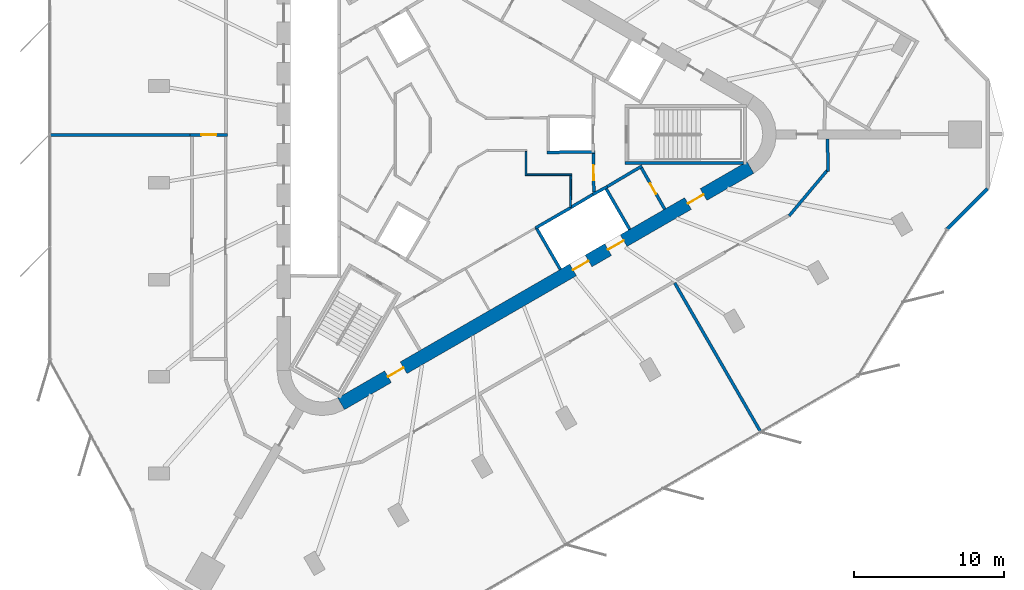
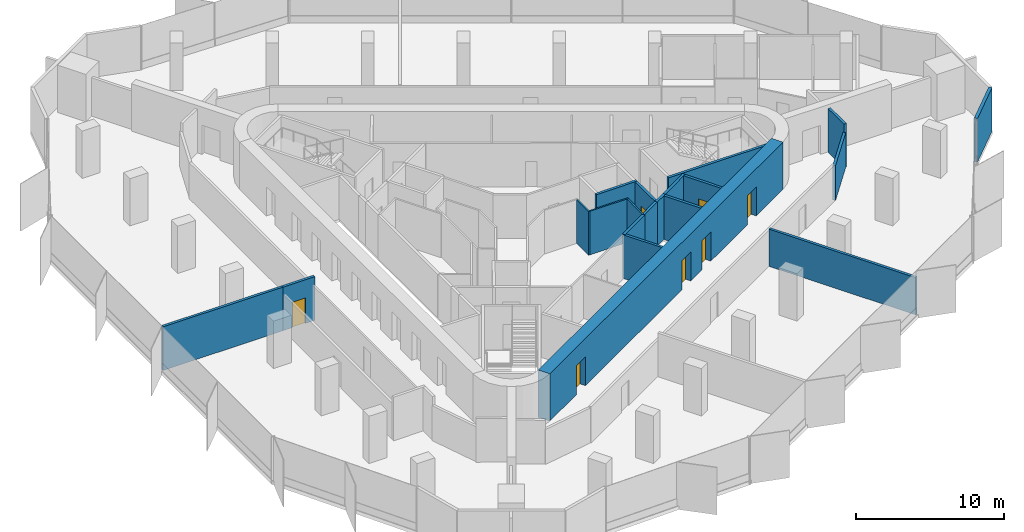
# One storey, part 8 of 12: 20 walls, 7 doors, 7 openings.
"""IFC4 building model written with IfcOpenShell, lengths in metres."""

from ifc_helpers import new_model, si_unit, direction, frame, frame_2d, origin, place, context, subcontext, project, spatial, rectangle, extrude, material, layer, layer_set, type_object, element, fill, save


model = new_model("IFC4")

# Units and contexts
model_context = context("Model", 3, precision=1e-05, world=origin(), true_north=direction((0.0, 1.0)))
body_context = subcontext(model_context, "Body", "Model", "MODEL_VIEW")
ifc_project = project(units=[si_unit("LENGTHUNIT", "METRE"), si_unit("AREAUNIT", "SQUARE_METRE"), si_unit("VOLUMEUNIT", "CUBIC_METRE"), si_unit("PLANEANGLEUNIT", "RADIAN"), si_unit("MASSUNIT", "GRAM", prefix="KILO")], contexts=[model_context])

# Site, building, storey
site_placement = place(None, origin())
site = spatial("IfcSite", under=ifc_project, at=site_placement, CompositionType="ELEMENT")
building_placement = place(site_placement, origin())
building = spatial("IfcBuilding", under=site, at=building_placement, Name="Tanit Gate Tower", CompositionType="ELEMENT")
storey_placement = place(building_placement, frame((0.0, 0.0, 337.699951171875)))
storey = spatial("IfcBuildingStorey", under=building, at=storey_placement, Name="L76", CompositionType="ELEMENT", Elevation=337.699951171875)

# Wall, openings, doors
ifc_material_1 = material(Name="Concrete C40/50", Category="concrete")
ifc_layer_1 = layer(ifc_material_1, 0.89990234375)
ifc_layer_set_1 = layer_set([ifc_layer_1], Name="CORE WALL 900 C40/50")
wall_type_1 = type_object("IfcWallType", Name="CORE WALL 900 C40/50", PredefinedType="SHEAR", material=ifc_layer_set_1)
wall_1_placement = place(storey_placement, frame((-7.824951171875, -17.969970703125, 0.0), z_axis=(0.0, 0.0, 1.0), x_axis=(0.866028369851, 0.499994862586, 0.0)))
wall_1 = element("IfcWall", 1, at=wall_1_placement, inside=storey, type_object=wall_type_1, Name="CORE WALL", PredefinedType="SHEAR", context=body_context, shape_type="SweptSolid", body=[
    extrude(rectangle(XDim=31.523193359375, YDim=0.89990234375, at=frame_2d((15.76171875, 0.0))), origin(), (0.0, 0.0, 1.0), 3.900146484375),
])
opening_1_placement = place(wall_1_placement, frame((17.861572265625, 0.0, 0.0)))
opening_1 = element("IfcOpeningElement", 2, at=opening_1_placement, cuts=wall_1, Name="Opening LDSV1-S21", PredefinedType="OPENING", context=body_context, shape_type="SweptSolid", body=[
    extrude(rectangle(XDim=1.199951171875, YDim=2.39990234375, at=frame_2d((0.60009765625, 1.199951171875))), frame((0.0, 0.4599609375, 0.0), z_axis=(0.0, -1.0, 0.0), x_axis=(1.0, 0.0, 0.0)), (0.0, 0.0, 1.0), 0.919921875),
])
opening_2_placement = place(wall_1_placement, frame((20.561767578125, 0.0, 0.0)))
opening_2 = element("IfcOpeningElement", 3, at=opening_2_placement, cuts=wall_1, Name="Opening LDSV2-S21", PredefinedType="OPENING", context=body_context, shape_type="SweptSolid", body=[
    extrude(rectangle(XDim=1.199951171875, YDim=2.39990234375, at=frame_2d((0.60009765625, 1.199951171875))), frame((0.0, 0.4599609375, 0.0), z_axis=(0.0, -1.0, 0.0), x_axis=(1.0, 0.0, 0.0)), (0.0, 0.0, 1.0), 0.919921875),
])
opening_3_placement = place(wall_1_placement, frame((26.711669921875, 0.0, 0.0)))
opening_3 = element("IfcOpeningElement", 4, at=opening_3_placement, cuts=wall_1, Name="Opening F12-S21-S1", PredefinedType="OPENING", context=body_context, shape_type="SweptSolid", body=[
    extrude(rectangle(XDim=1.199951171875, YDim=2.39990234375, at=frame_2d((0.60009765625, 1.199951171875))), frame((0.0, 0.4599609375, 0.0), z_axis=(0.0, -1.0, 0.0), x_axis=(1.0, 0.0, 0.0)), (0.0, 0.0, 1.0), 0.919921875),
])
opening_4_placement = place(wall_1_placement, frame((3.611572265625, 0.0, 0.0)))
opening_4 = element("IfcOpeningElement", 5, at=opening_4_placement, cuts=wall_1, Name="Opening F12-S21-FL3", PredefinedType="OPENING", context=body_context, shape_type="SweptSolid", body=[
    extrude(rectangle(XDim=1.199951171875, YDim=2.39990234375, at=frame_2d((0.60009765625, 1.199951171875))), frame((0.0, 0.4599609375, 0.0), z_axis=(0.0, -1.0, 0.0), x_axis=(1.0, 0.0, 0.0)), (0.0, 0.0, 1.0), 0.919921875),
])
ifc_material_2 = material(Name="Fire-rated steel door leaf", Category="steel")
door_type_1 = type_object("IfcDoorType", Name="INT-DOOR-FIRE-LOBBY-1200", OperationType="NOTDEFINED", PredefinedType="USERDEFINED", material=ifc_material_2)
door_1_placement = place(opening_3_placement, origin())
door_1 = element("IfcDoor", 6, at=door_1_placement, inside=storey, type_object=door_type_1, Name="Door F12-S21-S1", ObjectType="FIRE DOOR", OperationType="SINGLE_SWING_LEFT", OverallHeight=2.39990234375, OverallWidth=1.199951171875, PredefinedType="USERDEFINED", context=body_context, shape_type="SweptSolid", body=[
    extrude(rectangle(XDim=1.199951171875, YDim=2.39990234375, at=frame_2d((0.60009765625, 1.199951171875))), frame((0.0, 0.02490234375, 0.0), z_axis=(0.0, -1.0, 0.0), x_axis=(1.0, 0.0, 0.0)), (0.0, 0.0, 1.0), 0.050048828125),
])
fill(opening_3, door_1)
door_2_placement = place(opening_4_placement, origin())
door_2 = element("IfcDoor", 7, at=door_2_placement, inside=storey, type_object=door_type_1, Name="Door F12-S21-FL3", ObjectType="FIRE DOOR", OperationType="SINGLE_SWING_RIGHT", OverallHeight=2.39990234375, OverallWidth=1.199951171875, PredefinedType="USERDEFINED", context=body_context, shape_type="SweptSolid", body=[
    extrude(rectangle(XDim=1.199951171875, YDim=2.39990234375, at=frame_2d((0.60009765625, 1.199951171875))), frame((0.0, 0.02490234375, 0.0), z_axis=(0.0, -1.0, 0.0), x_axis=(1.0, 0.0, 0.0)), (0.0, 0.0, 1.0), 0.050048828125),
])
fill(opening_4, door_2)
ifc_material_3 = material(Name="Stainless steel sliding door leaf", Category="steel")
door_type_2 = type_object("IfcDoorType", Name="INT-DOOR-LANDING-1200", OperationType="NOTDEFINED", PredefinedType="USERDEFINED", material=ifc_material_3)
door_3_placement = place(opening_1_placement, origin())
door_3 = element("IfcDoor", 8, at=door_3_placement, inside=storey, type_object=door_type_2, Name="Door LDSV1-S21", ObjectType="LANDING DOOR", OperationType="SLIDING_TO_LEFT", OverallHeight=2.39990234375, OverallWidth=1.199951171875, PredefinedType="USERDEFINED", context=body_context, shape_type="SweptSolid", body=[
    extrude(rectangle(XDim=1.199951171875, YDim=2.39990234375, at=frame_2d((0.60009765625, 1.199951171875))), frame((0.0, 0.02490234375, 0.0), z_axis=(0.0, -1.0, 0.0), x_axis=(1.0, 0.0, 0.0)), (0.0, 0.0, 1.0), 0.050048828125),
])
fill(opening_1, door_3)
door_4_placement = place(opening_2_placement, origin())
door_4 = element("IfcDoor", 9, at=door_4_placement, inside=storey, type_object=door_type_2, Name="Door LDSV2-S21", ObjectType="LANDING DOOR", OperationType="SLIDING_TO_LEFT", OverallHeight=2.39990234375, OverallWidth=1.199951171875, PredefinedType="USERDEFINED", context=body_context, shape_type="SweptSolid", body=[
    extrude(rectangle(XDim=1.199951171875, YDim=2.39990234375, at=frame_2d((0.60009765625, 1.199951171875))), frame((0.0, 0.02490234375, 0.0), z_axis=(0.0, -1.0, 0.0), x_axis=(1.0, 0.0, 0.0)), (0.0, 0.0, 1.0), 0.050048828125),
])
fill(opening_2, door_4)

# Walls
ifc_material_4 = material(Name="Concrete C30/37 with bronze anodised aluminium cladding", Category="concrete")
ifc_layer_2 = layer(ifc_material_4, 0.239990234375)
ifc_layer_set_2 = layer_set([ifc_layer_2], Name="Facade wall bronze clad 240")
wall_type_2 = type_object("IfcWallType", Name="Facade wall bronze clad 240", PredefinedType="SOLIDWALL", material=ifc_layer_set_2)
wall_2_placement = place(storey_placement, frame((32.60791015625, -6.306396484375, 0.0), z_axis=(0.0, 0.0, 1.0), x_axis=(0.707138934827, 0.707074626084, 0.0)))
element("IfcWall", 10, at=wall_2_placement, inside=storey, type_object=wall_type_2, Name="Bronze-clad facade wall L76 E.arc1", PredefinedType="SOLIDWALL", context=body_context, shape_type="SweptSolid", body=[
    extrude(rectangle(XDim=3.79638671875, YDim=0.239990234375, at=frame_2d((1.898193359375, 0.0))), origin(), (0.0, 0.0, 1.0), 3.60009765625),
])
ifc_material_5 = material(Name="Fire-rated gypsum board partition")
ifc_layer_3 = layer(ifc_material_5, 0.199951171875)
ifc_layer_set_3 = layer_set([ifc_layer_3], Name="INT-WALL-COMPARTMENT")
wall_type_3 = type_object("IfcWallType", Name="INT-WALL-COMPARTMENT", PredefinedType="PARTITIONING", material=ifc_layer_set_3)
wall_3_placement = place(storey_placement, frame((12.244873046875, -2.10888671875, 0.0), z_axis=(0.0, 0.0, 1.0), x_axis=(-0.860414880418, -0.509594185166, 0.0)))
element("IfcWall", 11, at=wall_3_placement, inside=storey, type_object=wall_type_3, Name="Wall Compartment W057", PredefinedType="PARTITIONING", context=body_context, shape_type="SweptSolid", body=[
    extrude(rectangle(XDim=2.7001953125, YDim=0.199951171875, at=frame_2d((1.35009765625, 0.0))), origin(), (0.0, 0.0, 1.0), 3.60009765625),
])

# Wall, opening, door
wall_4_placement = place(storey_placement, frame((13.758056640625, -4.989501953125, 0.0), z_axis=(0.0, 0.0, 1.0), x_axis=(-0.491993409184, 0.87059892334, 0.0)))
wall_4 = element("IfcWall", 12, at=wall_4_placement, inside=storey, type_object=wall_type_3, Name="Wall Compartment W058", PredefinedType="PARTITIONING", context=body_context, shape_type="SweptSolid", body=[
    extrude(rectangle(XDim=3.150146484375, YDim=0.199951171875, at=frame_2d((1.5751953125, 0.0))), origin(), (0.0, 0.0, 1.0), 3.60009765625),
])
opening_5_placement = place(wall_4_placement, frame((1.175048828125, 0.0, 0.0)))
opening_5 = element("IfcOpeningElement", 13, at=opening_5_placement, cuts=wall_4, Name="Opening R08-S21-19", PredefinedType="OPENING", context=body_context, shape_type="SweptSolid", body=[
    extrude(rectangle(XDim=0.800048828125, YDim=2.10009765625, at=frame_2d((0.39990234375, 1.050048828125))), frame((0.0, 0.10986328125, 0.0), z_axis=(0.0, -1.0, 0.0), x_axis=(1.0, 0.0, 0.0)), (0.0, 0.0, 1.0), 0.219970703125),
])
ifc_material_6 = material(Name="Timber door leaf", Category="wood")
door_type_3 = type_object("IfcDoorType", Name="INT-DOOR-RISER-800", OperationType="NOTDEFINED", PredefinedType="USERDEFINED", material=ifc_material_6)
door_5_placement = place(opening_5_placement, origin())
door_5 = element("IfcDoor", 14, at=door_5_placement, inside=storey, type_object=door_type_3, Name="Door R08-S21-19", ObjectType="FIRE DOOR", OperationType="SINGLE_SWING_LEFT", OverallHeight=2.10009765625, OverallWidth=0.800048828125, PredefinedType="USERDEFINED", context=body_context, shape_type="SweptSolid", body=[
    extrude(rectangle(XDim=0.800048828125, YDim=2.10009765625, at=frame_2d((0.39990234375, 1.050048828125))), frame((0.0, 0.02490234375, 0.0), z_axis=(0.0, -1.0, 0.0), x_axis=(1.0, 0.0, 0.0)), (0.0, 0.0, 1.0), 0.050048828125),
])
fill(opening_5, door_5)

wall_5_placement = place(storey_placement, frame((9.02880859375, -3.850830078125, 0.0), z_axis=(0.0, 0.0, 1.0), x_axis=(-0.010783593937, 0.99994185536, 0.0)))
wall_5 = element("IfcWall", 15, at=wall_5_placement, inside=storey, type_object=wall_type_3, Name="Wall Compartment W060", PredefinedType="PARTITIONING", context=body_context, shape_type="SweptSolid", body=[
    extrude(rectangle(XDim=2.5810546875, YDim=0.199951171875, at=frame_2d((1.29052734375, 0.0))), origin(), (0.0, 0.0, 1.0), 3.60009765625),
])
opening_6_placement = place(wall_5_placement, frame((0.79052734375, 0.0, 0.0)))
opening_6 = element("IfcOpeningElement", 16, at=opening_6_placement, cuts=wall_5, Name="Opening F10-S21-02", PredefinedType="OPENING", context=body_context, shape_type="SweptSolid", body=[
    extrude(rectangle(XDim=1.0, YDim=2.10009765625, at=frame_2d((0.5, 1.050048828125))), frame((0.0, 0.10986328125, 0.0), z_axis=(0.0, -1.0, 0.0), x_axis=(1.0, 0.0, 0.0)), (0.0, 0.0, 1.0), 0.219970703125),
])
ifc_material_7 = material(Name="Fire-rated steel door leaf", Category="steel")
door_type_4 = type_object("IfcDoorType", Name="INT-DOOR-FIRE-1000", OperationType="NOTDEFINED", PredefinedType="USERDEFINED", material=ifc_material_7)
door_6_placement = place(opening_6_placement, origin())
door_6 = element("IfcDoor", 17, at=door_6_placement, inside=storey, type_object=door_type_4, Name="Door F10-S21-02", ObjectType="FIRE DOOR", OperationType="SINGLE_SWING_LEFT", OverallHeight=2.10009765625, OverallWidth=1.0, PredefinedType="USERDEFINED", context=body_context, shape_type="SweptSolid", body=[
    extrude(rectangle(XDim=1.0, YDim=2.10009765625, at=frame_2d((0.5, 1.050048828125))), frame((0.0, 0.02490234375, 0.0), z_axis=(0.0, -1.0, 0.0), x_axis=(1.0, 0.0, 0.0)), (0.0, 0.0, 1.0), 0.050048828125),
])
fill(opening_6, door_6)

wall_6_placement = place(storey_placement, frame((-15.39990234375, -0.030029296875, 0.0), z_axis=(0.0, 0.0, 1.0), x_axis=(-0.999999957085, -0.000292968737, 0.0)))
wall_6 = element("IfcWall", 18, at=wall_6_placement, inside=storey, type_object=wall_type_3, Name="Wall Compartment W087", PredefinedType="PARTITIONING", context=body_context, shape_type="SweptSolid", body=[
    extrude(rectangle(XDim=2.5, YDim=0.199951171875, at=frame_2d((1.25, 0.0))), origin(), (0.0, 0.0, 1.0), 3.60009765625),
])
opening_7_placement = place(wall_6_placement, frame((0.75, 0.0, 0.0)))
opening_7 = element("IfcOpeningElement", 19, at=opening_7_placement, cuts=wall_6, Name="Opening F10-S21-27", PredefinedType="OPENING", context=body_context, shape_type="SweptSolid", body=[
    extrude(rectangle(XDim=1.0, YDim=2.10009765625, at=frame_2d((0.5, 1.050048828125))), frame((0.0, 0.10986328125, 0.0), z_axis=(0.0, -1.0, 0.0), x_axis=(1.0, 0.0, 0.0)), (0.0, 0.0, 1.0), 0.219970703125),
])
door_7_placement = place(opening_7_placement, origin())
door_7 = element("IfcDoor", 20, at=door_7_placement, inside=storey, type_object=door_type_4, Name="Door F10-S21-27", ObjectType="FIRE DOOR", OperationType="SINGLE_SWING_RIGHT", OverallHeight=2.10009765625, OverallWidth=1.0, PredefinedType="USERDEFINED", context=body_context, shape_type="SweptSolid", body=[
    extrude(rectangle(XDim=1.0, YDim=2.10009765625, at=frame_2d((0.5, 1.050048828125))), frame((0.0, 0.02490234375, 0.0), z_axis=(0.0, -1.0, 0.0), x_axis=(1.0, 0.0, 0.0)), (0.0, 0.0, 1.0), 0.050048828125),
])
fill(opening_7, door_7)

# Walls
wall_7_placement = place(storey_placement, frame((24.647705078125, -2.46240234375, 0.0), z_axis=(0.0, 0.0, 1.0), x_axis=(-0.012757232068, 0.999918623204, 0.0)))
element("IfcWall", 21, at=wall_7_placement, inside=storey, type_object=wall_type_3, Name="Wall Compartment W102", PredefinedType="PARTITIONING", context=body_context, shape_type="SweptSolid", body=[
    extrude(rectangle(XDim=2.16259765625, YDim=0.199951171875, at=frame_2d((1.081298828125, 0.0))), origin(), (0.0, 0.0, 1.0), 3.60009765625),
])
wall_8_placement = place(storey_placement, frame((22.05419921875, -5.435302734375, 0.0), z_axis=(0.0, 0.0, 1.0), x_axis=(0.642790979996, 0.766041615081, 0.0)))
element("IfcWall", 22, at=wall_8_placement, inside=storey, type_object=wall_type_3, Name="Wall Compartment W103", PredefinedType="PARTITIONING", context=body_context, shape_type="SweptSolid", body=[
    extrude(rectangle(XDim=3.9833984375, YDim=0.199951171875, at=frame_2d((1.99169921875, 0.0))), origin(), (0.0, 0.0, 1.0), 2.880126953125),
])
wall_9_placement = place(storey_placement, frame((-27.2578125, -0.030029296875, 0.0), z_axis=(0.0, 0.0, 1.0), x_axis=(0.999999996937, -7.8267675e-05, 0.0)))
element("IfcWall", 23, at=wall_9_placement, inside=storey, type_object=wall_type_3, Name="Wall Compartment W109", PredefinedType="PARTITIONING", context=body_context, shape_type="SweptSolid", body=[
    extrude(rectangle(XDim=9.35791015625, YDim=0.199951171875, at=frame_2d((4.678955078125, 0.0))), origin(), (0.0, 0.0, 1.0), 3.60009765625),
])
wall_10_placement = place(storey_placement, frame((14.42529296875, -9.915771484375, 0.0), z_axis=(0.0, 0.0, 1.0), x_axis=(0.499943167381, -0.866058213626, 0.0)))
element("IfcWall", 24, at=wall_10_placement, inside=storey, type_object=wall_type_3, Name="Wall Compartment W124", PredefinedType="PARTITIONING", context=body_context, shape_type="SweptSolid", body=[
    extrude(rectangle(XDim=11.458251953125, YDim=0.199951171875, at=frame_2d((5.72900390625, 0.0))), origin(), (0.0, 0.0, 1.0), 3.070068359375),
])
ifc_material_8 = material(Name="Gypsum board partition")
ifc_layer_4 = layer(ifc_material_8, 0.1201171875)
ifc_layer_set_4 = layer_set([ifc_layer_4], Name="INT-WALL-PARTITION")
wall_type_4 = type_object("IfcWallType", Name="INT-WALL-PARTITION", PredefinedType="PARTITIONING", material=ifc_layer_set_4)
wall_11_placement = place(storey_placement, frame((4.5, -2.760009765625, 0.0), z_axis=(0.0, 0.0, 1.0), x_axis=(0.0, 1.0, 0.0)))
element("IfcWall", 25, at=wall_11_placement, inside=storey, type_object=wall_type_4, Name="Wall Partition W071", PredefinedType="PARTITIONING", context=body_context, shape_type="SweptSolid", body=[
    extrude(rectangle(XDim=1.625, YDim=0.1201171875, at=frame_2d((0.8125, 0.0))), origin(), (0.0, 0.0, 1.0), 3.60009765625),
])
wall_12_placement = place(storey_placement, frame((7.56005859375, -2.699951171875, 0.0), z_axis=(0.0, 0.0, 1.0), x_axis=(-1.0, 0.0, 0.0)))
element("IfcWall", 26, at=wall_12_placement, inside=storey, type_object=wall_type_4, Name="Wall Partition W072", PredefinedType="PARTITIONING", context=body_context, shape_type="SweptSolid", body=[
    extrude(rectangle(XDim=3.0, YDim=0.1201171875, at=frame_2d((1.5, 0.0))), origin(), (0.0, 0.0, 1.0), 3.60009765625),
])
wall_13_placement = place(storey_placement, frame((7.474609375, -4.864501953125, 0.0), z_axis=(0.0, 0.0, 1.0), x_axis=(0.011716133148, 0.999931363757, 0.0)))
element("IfcWall", 27, at=wall_13_placement, inside=storey, type_object=wall_type_4, Name="Wall Partition W073", PredefinedType="PARTITIONING", context=body_context, shape_type="SweptSolid", body=[
    extrude(rectangle(XDim=2.104736328125, YDim=0.1201171875, at=frame_2d((1.05224609375, 0.0))), origin(), (0.0, 0.0, 1.0), 3.60009765625),
])
ifc_material_9 = material(Name="Gypsum shaft wall system")
ifc_layer_5 = layer(ifc_material_9, 0.199951171875)
ifc_layer_set_5 = layer_set([ifc_layer_5], Name="INT-WALL-SHAFT")
wall_type_5 = type_object("IfcWallType", Name="INT-WALL-SHAFT", PredefinedType="PLUMBINGWALL", material=ifc_layer_set_5)
wall_14_placement = place(storey_placement, frame((6.795166015625, -9.009521484375, 0.0), z_axis=(0.0, 0.0, 1.0), x_axis=(-0.499984717929, 0.866034226713, 0.0)))
element("IfcWall", 28, at=wall_14_placement, inside=storey, type_object=wall_type_5, Name="Wall Shaft W015", PredefinedType="PLUMBINGWALL", context=body_context, shape_type="SweptSolid", body=[
    extrude(rectangle(XDim=3.25, YDim=0.199951171875, at=frame_2d((1.625, 0.0))), origin(), (0.0, 0.0, 1.0), 3.60009765625),
])
wall_15_placement = place(storey_placement, frame((5.1591796875, -6.23583984375, 0.0), z_axis=(0.0, 0.0, 1.0), x_axis=(0.866036505625, 0.499980770555, 0.0)))
element("IfcWall", 29, at=wall_15_placement, inside=storey, type_object=wall_type_5, Name="Wall Shaft W016", PredefinedType="PLUMBINGWALL", context=body_context, shape_type="SweptSolid", body=[
    extrude(rectangle(XDim=2.69970703125, YDim=0.199951171875, at=frame_2d((1.349853515625, 0.0))), origin(), (0.0, 0.0, 1.0), 3.60009765625),
])
wall_16_placement = place(storey_placement, frame((9.794677734375, -3.52490234375, 0.0), z_axis=(0.0, 0.0, 1.0), x_axis=(0.499984717929, -0.866034226713, 0.0)))
element("IfcWall", 30, at=wall_16_placement, inside=storey, type_object=wall_type_5, Name="Wall Shaft W017", PredefinedType="PLUMBINGWALL", context=body_context, shape_type="SweptSolid", body=[
    extrude(rectangle(XDim=3.25, YDim=0.199951171875, at=frame_2d((1.625, 0.0))), origin(), (0.0, 0.0, 1.0), 3.60009765625),
])
wall_17_placement = place(storey_placement, frame((8.97412109375, -3.998779296875, 0.0), z_axis=(0.0, 0.0, 1.0), x_axis=(0.880907015104, 0.473289373154, 0.0)))
element("IfcWall", 31, at=wall_17_placement, inside=storey, type_object=wall_type_5, Name="Wall Shaft W018", PredefinedType="PLUMBINGWALL", context=body_context, shape_type="SweptSolid", body=[
    extrude(rectangle(XDim=1.078125, YDim=0.199951171875, at=frame_2d((0.5390625, 0.0))), origin(), (0.0, 0.0, 1.0), 3.60009765625),
])
wall_18_placement = place(storey_placement, frame((7.4931640625, -4.87841796875, 0.0), z_axis=(0.0, 0.0, 1.0), x_axis=(0.859981807212, 0.510324691999, 0.0)))
element("IfcWall", 32, at=wall_18_placement, inside=storey, type_object=wall_type_5, Name="Wall Shaft W019", PredefinedType="PLUMBINGWALL", context=body_context, shape_type="SweptSolid", body=[
    extrude(rectangle(XDim=1.8447265625, YDim=0.199951171875, at=frame_2d((0.92236328125, 0.0))), origin(), (0.0, 0.0, 1.0), 3.60009765625),
])
wall_19_placement = place(storey_placement, frame((5.89990234375, -1.200927734375, 0.0), z_axis=(0.0, 0.0, 1.0), x_axis=(0.999950064753, 0.009993397809, 0.0)))
element("IfcWall", 33, at=wall_19_placement, inside=storey, type_object=wall_type_5, Name="Wall Shaft W026", PredefinedType="PLUMBINGWALL", context=body_context, shape_type="SweptSolid", body=[
    extrude(rectangle(XDim=3.200439453125, YDim=0.199951171875, at=frame_2d((1.60009765625, 0.0))), origin(), (0.0, 0.0, 1.0), 3.60009765625),
])
ifc_material_10 = material(Name="Concrete C40/50", Category="concrete")
ifc_layer_6 = layer(ifc_material_10, 0.199951171875)
ifc_layer_set_6 = layer_set([ifc_layer_6], Name="INT-WALL-STAIR")
wall_type_6 = type_object("IfcWallType", Name="INT-WALL-STAIR", PredefinedType="SHEAR", material=ifc_layer_set_6)
wall_20_placement = place(storey_placement, frame((11.10009765625, -1.89990234375, -0.300048828125), z_axis=(0.0, 0.0, 1.0), x_axis=(1.0, 0.0, 0.0)))
element("IfcWall", 34, at=wall_20_placement, inside=storey, type_object=wall_type_6, Name="Wall Stair W022", PredefinedType="SHEAR", context=body_context, shape_type="SweptSolid", body=[
    extrude(rectangle(XDim=7.89990234375, YDim=0.199951171875, at=frame_2d((3.949951171875, 0.0))), origin(), (0.0, 0.0, 1.0), 3.900146484375),
])

save(model, "model.ifc")
